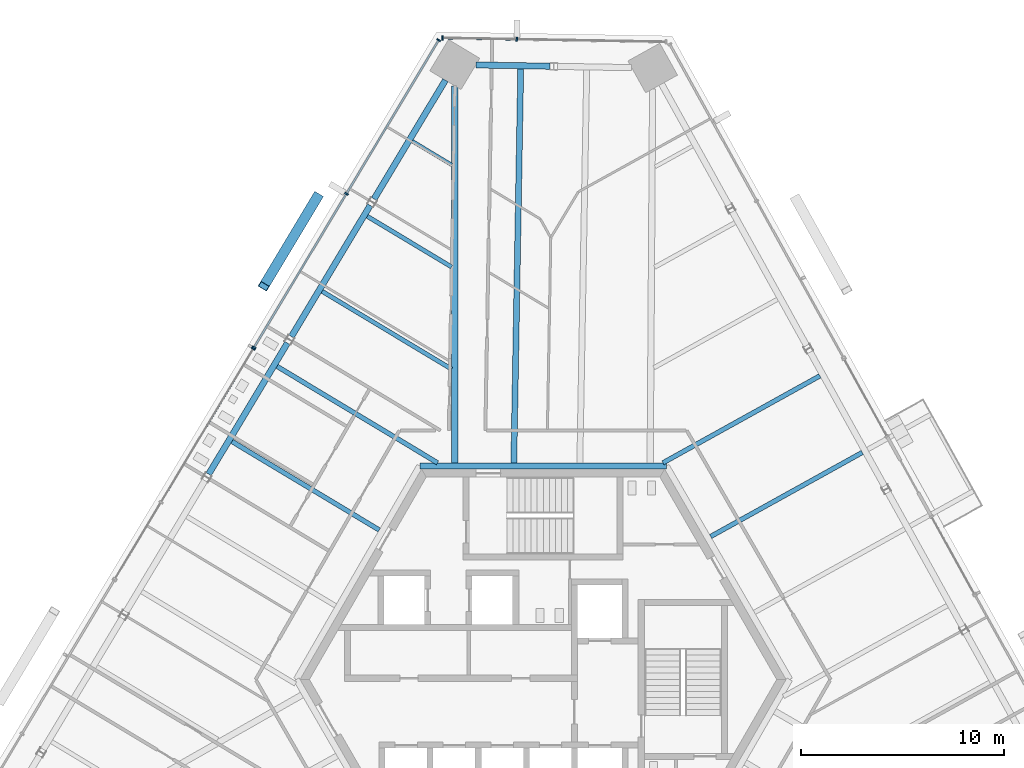
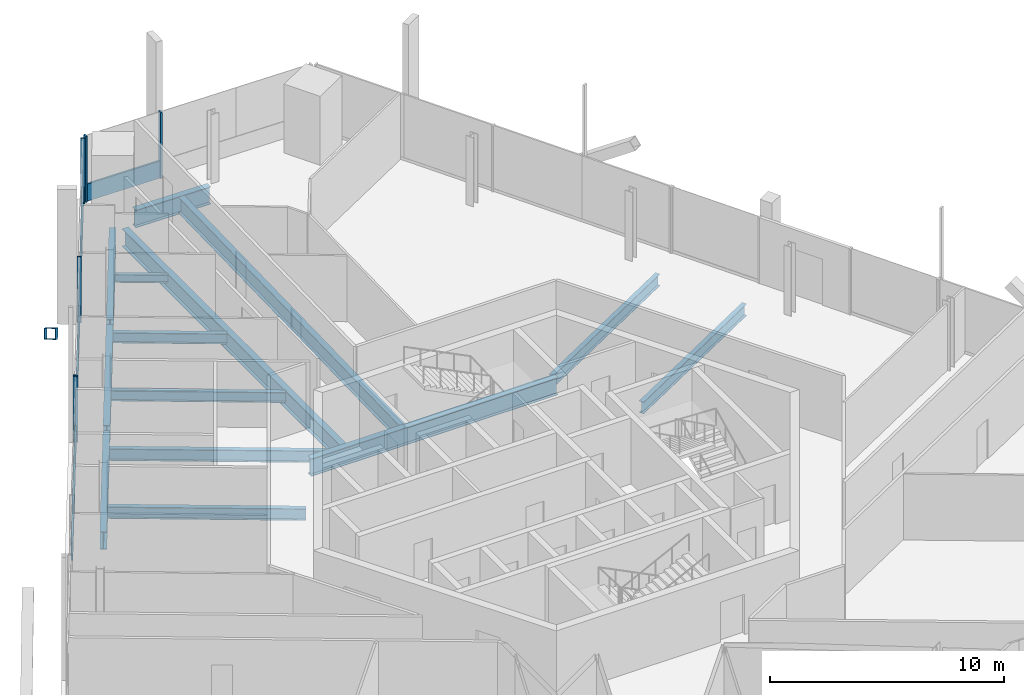
# One storey, part 8 of 21: 14 beams, 11 members, 3 elements without a shape of their own.
"""IFC4 building model written with IfcOpenShell, lengths in metres."""

from ifc_helpers import new_model, si_unit, direction, frame, origin, origin_2d, place, context, subcontext, project, spatial, rectangle, hollow_rectangle, i_section, extrude, source, transform, mapped, material, material_profile, profile_set, type_object, element, aggregate, save


model = new_model("IFC4")

# Units and contexts
model_context = context("Model", 3, precision=1e-05, world=origin(), true_north=direction((0.0, 1.0)))
body_context = subcontext(model_context, "Body", "Model", "MODEL_VIEW")
ifc_project = project(units=[si_unit("LENGTHUNIT", "METRE"), si_unit("AREAUNIT", "SQUARE_METRE"), si_unit("VOLUMEUNIT", "CUBIC_METRE"), si_unit("PLANEANGLEUNIT", "RADIAN"), si_unit("MASSUNIT", "GRAM", prefix="KILO")], contexts=[model_context])

# Site, building, storey
site_placement = place(None, origin())
site = spatial("IfcSite", under=ifc_project, at=site_placement, CompositionType="ELEMENT")
building_placement = place(site_placement, origin())
building = spatial("IfcBuilding", under=site, at=building_placement, Name="Triune Harvest Tower", CompositionType="ELEMENT")
storey_placement = place(building_placement, frame((0.0, 0.0, 187.10009765625)))
storey = spatial("IfcBuildingStorey", under=building, at=storey_placement, Name="L48", CompositionType="ELEMENT", Elevation=187.10009765625)

# Beams
ifc_material_1 = material(Name="Steel ASTM A992 Gr 50", Category="steel")
ifc_material_profile_1 = material_profile(ifc_material_1, i_section(OverallWidth=0.3046875, OverallDepth=0.914306640625, WebThickness=0.0166015625, FlangeThickness=0.02587890625, at=origin_2d()), Name="W36x160")
ifc_profile_set_1 = profile_set([ifc_material_profile_1], Name="Steel ASTM A992 Gr 50")
beam_type_1 = type_object("IfcBeamType", Name="CG-1 Core ring girder W36x160", PredefinedType="BEAM", material=ifc_profile_set_1)
shared_shape_1 = source(origin(), body_context, "Body", "SweptSolid", [
    extrude(i_section(OverallWidth=0.3046875, OverallDepth=0.914306640625, WebThickness=0.0166015625, FlangeThickness=0.02587890625, at=origin_2d()), origin(), (0.0, 0.0, 1.0), 12.17578125),
])
beam_1_placement = place(storey_placement, frame((6.087890625, 10.544677734375, -0.6171875), z_axis=(-1.0, 0.0, 0.0), x_axis=(0.0, -1.0, 0.0)))
element("IfcBeam", 1, at=beam_1_placement, inside=storey, type_object=beam_type_1, Name="beam/L48/CG2", PredefinedType="BEAM", context=body_context, shape_type="MappedRepresentation", body=[
    mapped(shared_shape_1, transform((0.0, 0.0, 0.0), scale=1.0)),
])
ifc_material_2 = material(Name="Steel ASTM A992 Gr 50", Category="steel")
ifc_material_profile_2 = material_profile(ifc_material_2, i_section(OverallWidth=0.3046875, OverallDepth=0.914306640625, WebThickness=0.0166015625, FlangeThickness=0.02587890625, at=origin_2d()), Name="W36x160")
ifc_profile_set_2 = profile_set([ifc_material_profile_2], Name="Steel ASTM A992 Gr 50")
beam_type_2 = type_object("IfcBeamType", Name="SB-1 Spandrel beam W36x160", PredefinedType="SPANDREL", material=ifc_profile_set_2)
shared_shape_2 = source(origin(), body_context, "Body", "SweptSolid", [
    extrude(i_section(OverallWidth=0.3046875, OverallDepth=0.914306640625, WebThickness=0.0166015625, FlangeThickness=0.02587890625, at=origin_2d()), origin(), (0.0, 0.0, 1.0), 3.66357421875),
])
beam_2_placement = place(storey_placement, frame((0.343017578125, 30.281494140625, -0.6171875), z_axis=(-0.999846408449, 0.01752596677, 0.0), x_axis=(-0.01752596677, -0.999846408449, 0.0)))
element("IfcBeam", 2, at=beam_2_placement, inside=storey, type_object=beam_type_2, Name="beam/L48/SB8", PredefinedType="SPANDREL", context=body_context, shape_type="MappedRepresentation", body=[
    mapped(shared_shape_2, transform((0.0, 0.0, 0.0), scale=1.0)),
])
shared_shape_3 = source(origin(), body_context, "Body", "SweptSolid", [
    extrude(i_section(OverallWidth=0.3046875, OverallDepth=0.914306640625, WebThickness=0.0166015625, FlangeThickness=0.02587890625, at=origin_2d()), origin(), (0.0, 0.0, 1.0), 6.842041015625),
])
beam_3_placement = place(storey_placement, frame((-4.822509765625, 29.59228515625, -0.6171875), z_axis=(-0.515041383774, -0.857165312527, 0.0), x_axis=(0.857165312527, -0.515041383774, 0.0)))
element("IfcBeam", 3, at=beam_3_placement, inside=storey, type_object=beam_type_2, Name="beam/L48/SB9", PredefinedType="SPANDREL", context=body_context, shape_type="MappedRepresentation", body=[
    mapped(shared_shape_3, transform((0.0, 0.0, 0.0), scale=1.0)),
])
shared_shape_4 = source(origin(), body_context, "Body", "SweptSolid", [
    extrude(i_section(OverallWidth=0.3046875, OverallDepth=0.914306640625, WebThickness=0.0166015625, FlangeThickness=0.02587890625, at=origin_2d()), origin(), (0.0, 0.0, 1.0), 7.556640625),
])
for number, where, z_axis, x_axis, name in (
    (4, (-8.537353515625, 23.409912109375, -0.6171875), (-0.515027794287, -0.857173477839, 0.0), (0.857173477839, -0.515027794287, 0.0), "beam/L48/SB10"),
    (5, (-12.6201171875, 16.614990234375, -0.6171875), (-0.515027794287, -0.857173477839, 0.0), (0.857173477839, -0.515027794287, 0.0), "beam/L48/SB11"),
):
    element("IfcBeam", number, at=place(storey_placement, frame(where, z_axis=z_axis, x_axis=x_axis)), inside=storey, type_object=beam_type_2, Name=name, PredefinedType="SPANDREL", context=body_context, shape_type="MappedRepresentation", body=[
        mapped(shared_shape_4, transform((0.0, 0.0, 0.0), scale=1.0)),
    ])
ifc_material_3 = material(Name="Steel ASTM A992 Gr 50", Category="steel")
ifc_material_profile_3 = material_profile(ifc_material_3, i_section(OverallWidth=0.307373046875, OverallDepth=0.922119140625, WebThickness=0.018310546875, FlangeThickness=0.030029296875, at=origin_2d()), Name="W36x182")
ifc_profile_set_3 = profile_set([ifc_material_profile_3], Name="Steel ASTM A992 Gr 50")
beam_type_3 = type_object("IfcBeamType", Name="HG-2 Hip girder W36x182", PredefinedType="BEAM", material=ifc_profile_set_3)
shared_shape_5 = source(origin(), body_context, "Body", "SweptSolid", [
    extrude(i_section(OverallWidth=0.307373046875, OverallDepth=0.922119140625, WebThickness=0.018310546875, FlangeThickness=0.030029296875, at=origin_2d()), origin(), (0.0, 0.0, 1.0), 18.61669921875),
])
beam_4_placement = place(storey_placement, frame((-4.359130859375, 29.313720703125, -0.62109375), z_axis=(0.0, -1.0, 0.0), x_axis=(1.0, 0.0, 0.0)))
element("IfcBeam", 6, at=beam_4_placement, inside=storey, type_object=beam_type_3, Name="beam/L48/HG4", PredefinedType="BEAM", context=body_context, shape_type="MappedRepresentation", body=[
    mapped(shared_shape_5, transform((0.0, 0.0, 0.0), scale=1.0)),
])
ifc_material_4 = material(Name="Steel ASTM A992 Gr 50", Category="steel")
ifc_material_profile_4 = material_profile(ifc_material_4, i_section(OverallWidth=0.180908203125, OverallDepth=0.41650390625, WebThickness=0.010986328125, FlangeThickness=0.01806640625, at=origin_2d()), Name="W16x57")
ifc_profile_set_4 = profile_set([ifc_material_profile_4], Name="Steel ASTM A992 Gr 50")
beam_type_4 = type_object("IfcBeamType", Name="JT-1 Floor joist W16x57", PredefinedType="JOIST", material=ifc_profile_set_4)
shared_shape_6 = source(origin(), body_context, "Body", "SweptSolid", [
    extrude(i_section(OverallWidth=0.180908203125, OverallDepth=0.41650390625, WebThickness=0.010986328125, FlangeThickness=0.01806640625, at=origin_2d()), origin(), (0.0, 0.0, 1.0), 2.266357421875),
])
beam_5_placement = place(storey_placement, frame((-6.455322265625, 26.578857421875, -0.368408203125), z_axis=(0.857169580884, -0.515034280031, 0.0), x_axis=(0.515034280031, 0.857169580884, 0.0)))
element("IfcBeam", 7, at=beam_5_placement, inside=storey, type_object=beam_type_4, Name="beam/L48/JT13", PredefinedType="JOIST", context=body_context, shape_type="MappedRepresentation", body=[
    mapped(shared_shape_6, transform((0.0, 0.0, 0.0), scale=1.0)),
])
ifc_material_5 = material(Name="Steel ASTM A992 Gr 50", Category="steel")
ifc_material_profile_5 = material_profile(ifc_material_5, i_section(OverallWidth=0.22900390625, OverallDepth=0.612060546875, WebThickness=0.011962890625, FlangeThickness=0.01953125, at=origin_2d()), Name="W24x84")
ifc_profile_set_5 = profile_set([ifc_material_profile_5], Name="Steel ASTM A992 Gr 50")
beam_type_5 = type_object("IfcBeamType", Name="JT-3 Floor joist W24x84", PredefinedType="JOIST", material=ifc_profile_set_5)
shared_shape_7 = source(origin(), body_context, "Body", "SweptSolid", [
    extrude(i_section(OverallWidth=0.22900390625, OverallDepth=0.612060546875, WebThickness=0.011962890625, FlangeThickness=0.01953125, at=origin_2d()), origin(), (0.0, 0.0, 1.0), 9.247314453125),
])
beam_6_placement = place(storey_placement, frame((-13.136474609375, 15.459716796875, -0.46630859375), z_axis=(0.857168952485, -0.515035325872, 0.0), x_axis=(0.515035325872, 0.857168952485, 0.0)))
element("IfcBeam", 8, at=beam_6_placement, inside=storey, type_object=beam_type_5, Name="beam/L48/JT16", PredefinedType="JOIST", context=body_context, shape_type="MappedRepresentation", body=[
    mapped(shared_shape_7, transform((0.0, 0.0, 0.0), scale=1.0)),
])
shared_shape_8 = source(origin(), body_context, "Body", "SweptSolid", [
    extrude(i_section(OverallWidth=0.22900390625, OverallDepth=0.612060546875, WebThickness=0.011962890625, FlangeThickness=0.01953125, at=origin_2d()), origin(), (0.0, 0.0, 1.0), 8.561767578125),
])
beam_7_placement = place(storey_placement, frame((15.764404296875, 11.210205078125, -0.46630859375), z_axis=(-0.87461689263, -0.484814697721, 0.0), x_axis=(0.484814697721, -0.87461689263, 0.0)))
element("IfcBeam", 9, at=beam_7_placement, inside=storey, type_object=beam_type_5, Name="beam/L48/JT6", PredefinedType="JOIST", context=body_context, shape_type="MappedRepresentation", body=[
    mapped(shared_shape_8, transform((0.0, 0.0, 0.0), scale=1.0)),
])
shared_shape_9 = source(origin(), body_context, "Body", "SweptSolid", [
    extrude(i_section(OverallWidth=0.22900390625, OverallDepth=0.612060546875, WebThickness=0.011962890625, FlangeThickness=0.01953125, at=origin_2d()), origin(), (0.0, 0.0, 1.0), 8.85888671875),
])
beam_8_placement = place(storey_placement, frame((13.66796875, 14.991943359375, -0.46630859375), z_axis=(-0.874614472557, -0.484819063563, 0.0), x_axis=(0.484819063563, -0.874614472557, 0.0)))
element("IfcBeam", 10, at=beam_8_placement, inside=storey, type_object=beam_type_5, Name="beam/L48/JT7", PredefinedType="JOIST", context=body_context, shape_type="MappedRepresentation", body=[
    mapped(shared_shape_9, transform((0.0, 0.0, 0.0), scale=1.0)),
])
ifc_material_6 = material(Name="Steel ASTM A992 Gr 50", Category="steel")
ifc_material_profile_6 = material_profile(ifc_material_6, i_section(OverallWidth=0.2919921875, OverallDepth=0.8408203125, WebThickness=0.0146484375, FlangeThickness=0.021728515625, at=origin_2d()), Name="W33x130")
ifc_profile_set_6 = profile_set([ifc_material_profile_6], Name="Steel ASTM A992 Gr 50")
beam_type_6 = type_object("IfcBeamType", Name="JT-6 Floor joist W33x130", PredefinedType="JOIST", material=ifc_profile_set_6)
shared_shape_10 = source(origin(), body_context, "Body", "SweptSolid", [
    extrude(i_section(OverallWidth=0.2919921875, OverallDepth=0.8408203125, WebThickness=0.0146484375, FlangeThickness=0.021728515625, at=origin_2d()), origin(), (0.0, 0.0, 1.0), 19.460205078125),
])
beam_9_placement = place(storey_placement, frame((-1.103515625, 30.154296875, -0.58056640625), z_axis=(-0.017450947707, -0.999847720618, 0.0), x_axis=(0.999847720618, -0.017450947707, 0.0)))
element("IfcBeam", 11, at=beam_9_placement, inside=storey, type_object=beam_type_6, Name="beam/L48/JT12", PredefinedType="JOIST", context=body_context, shape_type="MappedRepresentation", body=[
    mapped(shared_shape_10, transform((0.0, 0.0, 0.0), scale=1.0)),
])
ifc_material_7 = material(Name="Steel ASTM A992 Gr 50", Category="steel")
ifc_material_profile_7 = material_profile(ifc_material_7, i_section(OverallWidth=0.2099609375, OverallDepth=0.535888671875, WebThickness=0.010986328125, FlangeThickness=0.017333984375, at=origin_2d()), Name="W21x68")
ifc_profile_set_7 = profile_set([ifc_material_profile_7], Name="Steel ASTM A992 Gr 50")
beam_type_7 = type_object("IfcBeamType", Name="JT-2 Floor joist W21x68", PredefinedType="JOIST", material=ifc_profile_set_7)
shared_shape_11 = source(origin(), body_context, "Body", "SweptSolid", [
    extrude(i_section(OverallWidth=0.2099609375, OverallDepth=0.535888671875, WebThickness=0.010986328125, FlangeThickness=0.017333984375, at=origin_2d()), origin(), (0.0, 0.0, 1.0), 4.864501953125),
])
beam_10_placement = place(storey_placement, frame((-8.682373046875, 22.87255859375, -0.427978515625), z_axis=(0.857169483424, -0.515034442233, 0.0), x_axis=(0.515034442233, 0.857169483424, 0.0)))
element("IfcBeam", 12, at=beam_10_placement, inside=storey, type_object=beam_type_7, Name="beam/L48/JT14", PredefinedType="JOIST", context=body_context, shape_type="MappedRepresentation", body=[
    mapped(shared_shape_11, transform((0.0, 0.0, 0.0), scale=1.0)),
])
shared_shape_12 = source(origin(), body_context, "Body", "SweptSolid", [
    extrude(i_section(OverallWidth=0.2099609375, OverallDepth=0.535888671875, WebThickness=0.010986328125, FlangeThickness=0.017333984375, at=origin_2d()), origin(), (0.0, 0.0, 1.0), 7.462646484375),
])
beam_11_placement = place(storey_placement, frame((-10.909423828125, 19.166259765625, -0.427978515625), z_axis=(0.857169453827, -0.515034491492, 0.0), x_axis=(0.515034491492, 0.857169453827, 0.0)))
element("IfcBeam", 13, at=beam_11_placement, inside=storey, type_object=beam_type_7, Name="beam/L48/JT15", PredefinedType="JOIST", context=body_context, shape_type="MappedRepresentation", body=[
    mapped(shared_shape_12, transform((0.0, 0.0, 0.0), scale=1.0)),
])
shared_shape_13 = source(origin(), body_context, "Body", "SweptSolid", [
    extrude(i_section(OverallWidth=0.22900390625, OverallDepth=0.612060546875, WebThickness=0.011962890625, FlangeThickness=0.01953125, at=origin_2d()), origin(), (0.0, 0.0, 1.0), 8.48583984375),
])
beam_12_placement = place(storey_placement, frame((-15.36328125, 11.75341796875, -0.46630859375), z_axis=(0.857160193187, -0.515049903616, 0.0), x_axis=(0.515049903616, 0.857160193187, 0.0)))
element("IfcBeam", 14, at=beam_12_placement, inside=storey, type_object=beam_type_5, Name="beam/L48/JT17", PredefinedType="JOIST", context=body_context, shape_type="MappedRepresentation", body=[
    mapped(shared_shape_13, transform((0.0, 0.0, 0.0), scale=1.0)),
])

# Member
ifc_material_8 = material(Name="Steel ASTM A572 Gr 50", Category="steel")
ifc_material_profile_8 = material_profile(ifc_material_8, hollow_rectangle(XDim=0.5, YDim=0.5, WallThickness=0.030029296875, at=origin_2d()), Name="Box 500x500x30")
ifc_profile_set_8 = profile_set([ifc_material_profile_8], Name="Steel ASTM A572 Gr 50")
member_type_1 = type_object("IfcMemberType", Name="BR-3 Brace Box 500x500x30", PredefinedType="BRACE", material=ifc_profile_set_8)
shared_shape_14 = source(origin(), body_context, "Body", "SweptSolid", [
    extrude(hollow_rectangle(XDim=0.5, YDim=0.5, WallThickness=0.030029296875, at=origin_2d()), origin(), (0.0, 0.0, 1.0), 6.302734375),
])
member_1_placement = place(storey_placement, frame((-11.13134765625, 23.853515625, 0.0), z_axis=(-0.422762518026, -0.703597065918, 0.571159366712), x_axis=(0.857167973286, -0.515036955541, 0.0)))
element("IfcMember", 15, at=member_1_placement, inside=storey, type_object=member_type_1, Name="brace/B5-F3/d1/3", PredefinedType="BRACE", context=body_context, shape_type="MappedRepresentation", body=[
    mapped(shared_shape_14, transform((0.0, 0.0, 0.0), scale=1.0)),
])

# Curtain wall, members
ifc_material_9 = material(Name="Aluminium bronze anodised", Category="aluminium")
curtain_wall_type_1 = type_object("IfcCurtainWallType", Name="CW-1 Tower stick curtain wall", PredefinedType="NOTDEFINED", material=ifc_material_9)
curtain_wall_1_placement = place(storey_placement, origin())
curtain_wall_1 = element("IfcCurtainWall", 16, at=curtain_wall_1_placement, inside=storey, type_object=curtain_wall_type_1, Name="CW-1 B5-F2 L48 run 1")
ifc_material_10 = material(Name="Aluminium bronze anodised", Category="aluminium")
ifc_material_profile_9 = material_profile(ifc_material_10, rectangle(XDim=0.199951171875, YDim=0.074951171875, at=origin_2d()), Name="MU-1 mullion 75 x 200")
ifc_profile_set_9 = profile_set([ifc_material_profile_9], Name="Aluminium bronze anodised")
member_type_2 = type_object("IfcMemberType", Name="MU-1 mullion 75 x 200", PredefinedType="MULLION", material=ifc_profile_set_9)
shared_shape_15 = source(origin(), body_context, "Body", "SweptSolid", [
    extrude(rectangle(XDim=0.199951171875, YDim=0.074951171875, at=origin_2d()), origin(), (0.0, 0.0, 1.0), 3.43994140625),
])
member_2_placement = place(storey_placement, frame((-1.298583984375, 31.612548828125, 0.0), z_axis=(0.0, 0.0, 1.0), x_axis=(-0.017446318452, -0.999847801404, 0.0)))
member_2 = element("IfcMember", 17, at=member_2_placement, type_object=member_type_2, Name="CW-1 mullion B5-F2 1.3", PredefinedType="MULLION", context=body_context, shape_type="MappedRepresentation", body=[
    mapped(shared_shape_15, transform((0.0, 0.0, 0.0), scale=1.0)),
])
member_3_placement = place(storey_placement, frame((-4.960693359375, 31.676513671875, 0.0), z_axis=(0.0, 0.0, 1.0), x_axis=(-0.017446318452, -0.999847801404, 0.0)))
member_3 = element("IfcMember", 18, at=member_3_placement, type_object=member_type_2, Name="CW-1 mullion B5-F2 1.4", PredefinedType="MULLION", context=body_context, shape_type="MappedRepresentation", body=[
    mapped(shared_shape_15, transform((0.0, 0.0, 0.0), scale=1.0)),
])

ifc_material_11 = material(Name="Aluminium bronze anodised", Category="aluminium")
curtain_wall_type_2 = type_object("IfcCurtainWallType", Name="CW-7 Tower stick curtain wall with insulated spandrel infill", PredefinedType="NOTDEFINED", material=ifc_material_11)
curtain_wall_2_placement = place(storey_placement, origin())
curtain_wall_2 = element("IfcCurtainWall", 19, at=curtain_wall_2_placement, inside=storey, type_object=curtain_wall_type_2, Name="CW-7 B5-F3 L48 run 1")
member_4_placement = place(storey_placement, frame((-5.15380859375, 31.5693359375, 0.0), z_axis=(0.0, 0.0, 1.0), x_axis=(0.857166809078, -0.515038893109, 0.0)))
member_4 = element("IfcMember", 20, at=member_4_placement, type_object=member_type_2, Name="CW-7 mullion B5-F3 1.1", PredefinedType="MULLION", context=body_context, shape_type="MappedRepresentation", body=[
    mapped(shared_shape_15, transform((0.0, 0.0, 0.0), scale=1.0)),
])
member_5_placement = place(storey_placement, frame((-9.71240234375, 23.982666015625, 0.0), z_axis=(0.0, 0.0, 1.0), x_axis=(0.857166809078, -0.515038893109, 0.0)))
member_5 = element("IfcMember", 21, at=member_5_placement, type_object=member_type_2, Name="CW-7 mullion B5-F3 1.3", PredefinedType="MULLION", context=body_context, shape_type="MappedRepresentation", body=[
    mapped(shared_shape_15, transform((0.0, 0.0, 0.0), scale=1.0)),
])
member_6_placement = place(storey_placement, frame((-14.27099609375, 16.395751953125, 0.0), z_axis=(0.0, 0.0, 1.0), x_axis=(0.857166809078, -0.515038893109, 0.0)))
member_6 = element("IfcMember", 22, at=member_6_placement, type_object=member_type_2, Name="CW-7 mullion B5-F3 1.5", PredefinedType="MULLION", context=body_context, shape_type="MappedRepresentation", body=[
    mapped(shared_shape_15, transform((0.0, 0.0, 0.0), scale=1.0)),
])

# Curtain wall, member
curtain_wall_3_placement = place(storey_placement, origin())
curtain_wall_3 = element("IfcCurtainWall", 23, at=curtain_wall_3_placement, inside=storey, type_object=curtain_wall_type_1, Name="CW-1 B5-F3 L48 run 1001")
member_7_placement = place(storey_placement, frame((-14.3095703125, 16.33154296875, 0.0), z_axis=(0.0, 0.0, 1.0), x_axis=(0.857171790128, -0.515030603177, 0.0)))
member_7 = element("IfcMember", 24, at=member_7_placement, type_object=member_type_2, Name="CW-1 mullion B5-F3 1001.1", PredefinedType="MULLION", context=body_context, shape_type="MappedRepresentation", body=[
    mapped(shared_shape_15, transform((0.0, 0.0, 0.0), scale=1.0)),
])

# Member
ifc_material_12 = material(Name="Aluminium bronze anodised", Category="aluminium")
ifc_material_profile_10 = material_profile(ifc_material_12, rectangle(XDim=0.090087890625, YDim=0.89990234375, at=origin_2d()), Name="TR-1 transom 90 x 900")
ifc_profile_set_10 = profile_set([ifc_material_profile_10], Name="Aluminium bronze anodised")
member_type_3 = type_object("IfcMemberType", Name="TR-1 transom 90 x 900", PredefinedType="USERDEFINED", material=ifc_profile_set_10)
shared_shape_16 = source(origin(), body_context, "Body", "SweptSolid", [
    extrude(rectangle(XDim=0.090087890625, YDim=0.89990234375, at=origin_2d()), origin(), (0.0, 0.0, 1.0), 3.58740234375),
])
member_8_placement = place(storey_placement, frame((-1.336181640625, 31.61328125, 0.449951171875), z_axis=(-0.999848228853, 0.017421804151, 0.0), x_axis=(-0.017421804151, -0.999848228853, 0.0)))
member_8 = element("IfcMember", 25, at=member_8_placement, type_object=member_type_3, Name="CW-1 transom B5-F2 1.2", ObjectType="TRANSOM", PredefinedType="USERDEFINED", context=body_context, shape_type="MappedRepresentation", body=[
    mapped(shared_shape_16, transform((0.0, 0.0, 0.0), scale=1.0)),
])

aggregate(curtain_wall_1, [member_2, member_3, member_8])

shared_shape_17 = source(origin(), body_context, "Body", "SweptSolid", [
    extrude(rectangle(XDim=0.090087890625, YDim=0.89990234375, at=origin_2d()), origin(), (0.0, 0.0, 1.0), 8.77587890625),
])
member_9_placement = place(storey_placement, frame((-5.173095703125, 31.537353515625, 0.449951171875), z_axis=(-0.515043851299, -0.857163829871, 0.0), x_axis=(0.857163829871, -0.515043851299, 0.0)))
member_9 = element("IfcMember", 26, at=member_9_placement, type_object=member_type_3, Name="CW-7 transom B5-F3 1.1", ObjectType="TRANSOM", PredefinedType="USERDEFINED", context=body_context, shape_type="MappedRepresentation", body=[
    mapped(shared_shape_17, transform((0.0, 0.0, 0.0), scale=1.0)),
])

member_10_placement = place(storey_placement, frame((-9.731689453125, 23.950439453125, 0.449951171875), z_axis=(-0.515043851299, -0.857163829871, 0.0), x_axis=(0.857163829871, -0.515043851299, 0.0)))
member_10 = element("IfcMember", 27, at=member_10_placement, type_object=member_type_3, Name="CW-7 transom B5-F3 1.2", ObjectType="TRANSOM", PredefinedType="USERDEFINED", context=body_context, shape_type="MappedRepresentation", body=[
    mapped(shared_shape_17, transform((0.0, 0.0, 0.0), scale=1.0)),
])

aggregate(curtain_wall_2, [member_4, member_5, member_6, member_9, member_10])

member_11_placement = place(storey_placement, frame((-14.328857421875, 16.29931640625, 0.449951171875), z_axis=(-0.515043851299, -0.857163829871, 0.0), x_axis=(0.857163829871, -0.515043851299, 0.0)))
member_11 = element("IfcMember", 28, at=member_11_placement, type_object=member_type_3, Name="CW-1 transom B5-F3 1001.1", ObjectType="TRANSOM", PredefinedType="USERDEFINED", context=body_context, shape_type="MappedRepresentation", body=[
    mapped(shared_shape_17, transform((0.0, 0.0, 0.0), scale=1.0)),
])

aggregate(curtain_wall_3, [member_7, member_11])

save(model, "model.ifc")
